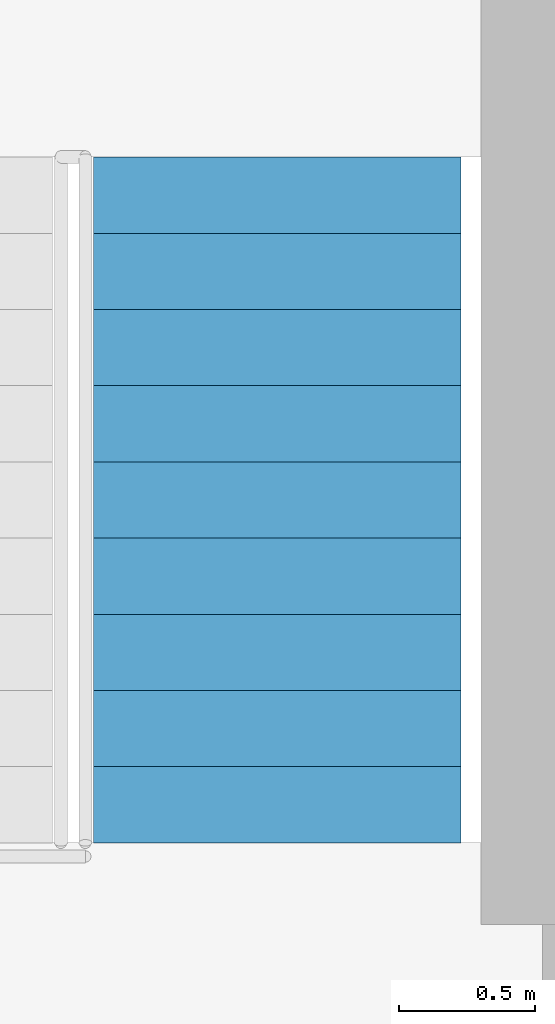
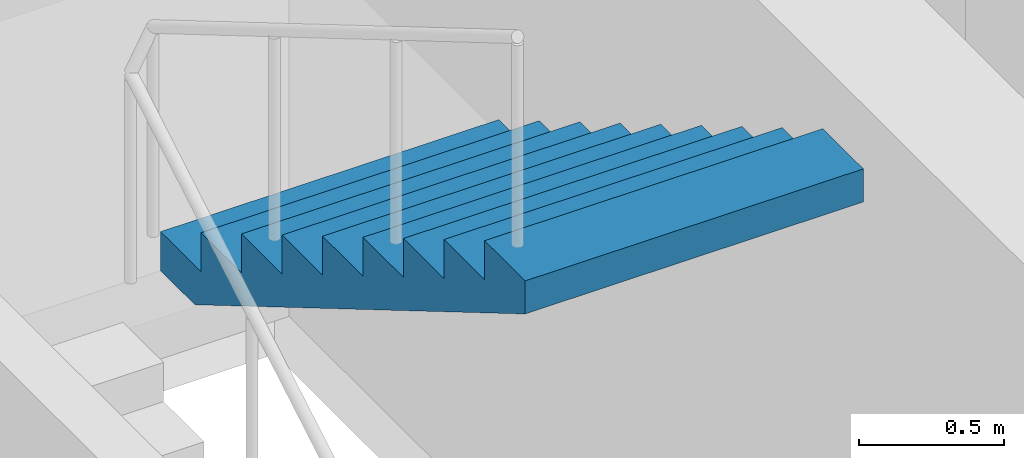
# One storey, part 13 of 14: 1 stair flight, 1 element without a shape of its own.
"""IFC4 building model written with IfcOpenShell, lengths in metres."""

from ifc_helpers import new_model, si_unit, direction, frame, origin, place, context, subcontext, project, spatial, polyline, outline, extrude, material, type_object, element, aggregate, save


model = new_model("IFC4")

# Units and contexts
model_context = context("Model", 3, precision=1e-05, world=origin(), true_north=direction((0.0, 1.0)))
body_context = subcontext(model_context, "Body", "Model", "MODEL_VIEW")
ifc_project = project(units=[si_unit("LENGTHUNIT", "METRE"), si_unit("AREAUNIT", "SQUARE_METRE"), si_unit("VOLUMEUNIT", "CUBIC_METRE"), si_unit("PLANEANGLEUNIT", "RADIAN"), si_unit("MASSUNIT", "GRAM", prefix="KILO")], contexts=[model_context])

# Site, building, storey
site_placement = place(None, origin())
site = spatial("IfcSite", under=ifc_project, at=site_placement, CompositionType="ELEMENT")
building_placement = place(site_placement, origin())
building = spatial("IfcBuilding", under=site, at=building_placement, Name="Quoin Convention Tower", CompositionType="ELEMENT")
storey_placement = place(building_placement, frame((0.0, 0.0, 66.0)))
storey = spatial("IfcBuildingStorey", under=building, at=storey_placement, Name="L17", CompositionType="ELEMENT", Elevation=66.0)

# Stair, stair flight
ifc_material = material(Name="Concrete C40", Category="concrete")
stair_type = type_object("IfcStairType", Name="Exit stair two-flight 1350", PredefinedType="HALF_TURN_STAIR", material=ifc_material)
stair_placement = place(storey_placement, origin())
stair = element("IfcStair", 1, at=stair_placement, inside=storey, type_object=stair_type, Name="SD2 L17", PredefinedType="HALF_TURN_STAIR")
stair_flight_type = type_object("IfcStairFlightType", Name="Stair flight 1350", PredefinedType="STRAIGHT", material=ifc_material)
stair_flight_placement = place(storey_placement, frame((66.25, 60.320068359375, 1.64990234375), z_axis=(0.0, 0.0, 1.0), x_axis=(0.0, -1.0, 0.0)))
stair_flight = element("IfcStairFlight", 2, at=stair_flight_placement, type_object=stair_flight_type, Name="ST2 flight 2", NumberOfRisers=10, NumberOfTreads=9, PredefinedType="STRAIGHT", RiserHeight=0.165, TreadLength=0.28, context=body_context, shape_type="SweptSolid", body=[
    extrude(outline(polyline([(0.0, 0.0), (0.0, 0.1650390625), (0.280029296875, 0.1650390625), (0.280029296875, 0.330078125), (0.56005859375, 0.330078125), (0.56005859375, 0.4951171875), (0.840087890625, 0.4951171875), (0.840087890625, 0.659912109375), (1.1201171875, 0.659912109375), (1.1201171875, 0.824951171875), (1.39990234375, 0.824951171875), (1.39990234375, 0.989990234375), (1.679931640625, 0.989990234375), (1.679931640625, 1.155029296875), (1.9599609375, 1.155029296875), (1.9599609375, 1.320068359375), (2.239990234375, 1.320068359375), (2.239990234375, 1.485107421875), (2.52001953125, 1.485107421875), (2.52001953125, 1.64990234375), (2.52001953125, 1.345458984375), (0.236572265625, 0.0), (0.0, 0.0)])), frame((0.0, 0.675048828125, 0.0), z_axis=(0.0, -1.0, 0.0), x_axis=(1.0, 0.0, 0.0)), (0.0, 0.0, 1.0), 1.35009765625),
])
aggregate(stair, [stair_flight])

save(model, "model.ifc")
